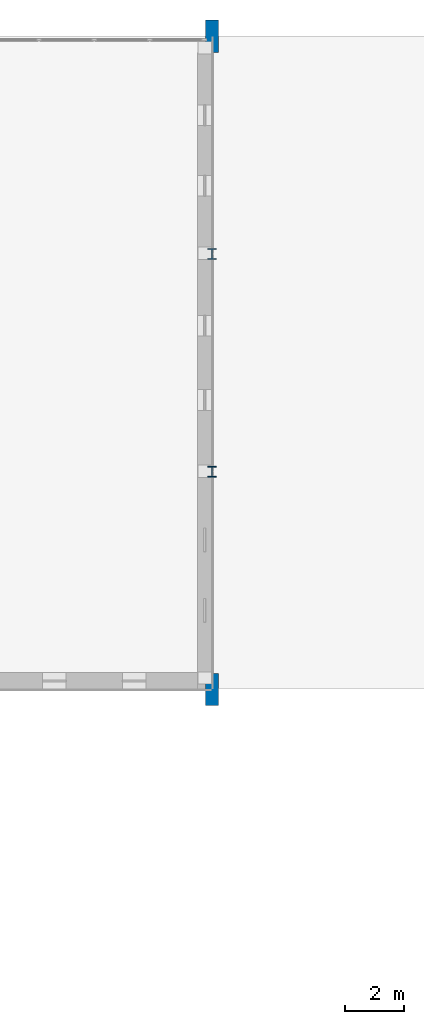
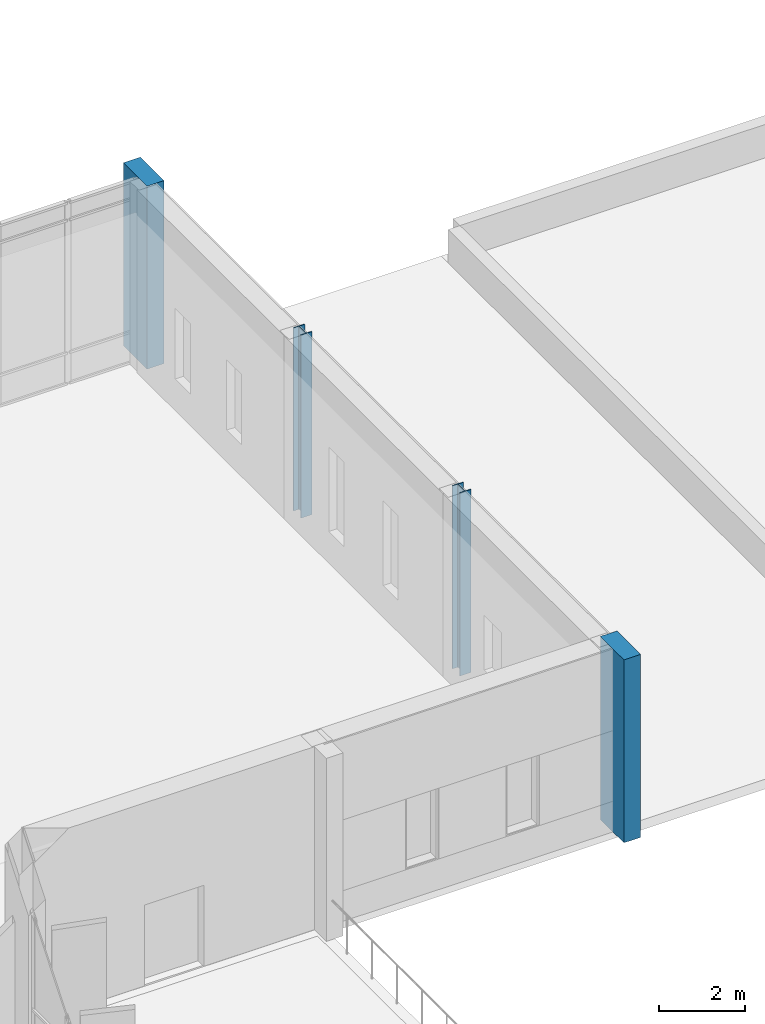
# One storey, part 6 of 48: 4 columns.
"""IFC4 building model written with IfcOpenShell, lengths in metres."""

from ifc_helpers import new_model, si_unit, direction, frame, origin, origin_2d, place, context, subcontext, project, spatial, rectangle, i_section, extrude, material, material_profile, profile_set, type_object, element, save


model = new_model("IFC4")

# Units and contexts
model_context = context("Model", 3, precision=1e-05, world=origin(), true_north=direction((0.0, 1.0)))
body_context = subcontext(model_context, "Body", "Model", "MODEL_VIEW")
ifc_project = project(units=[si_unit("LENGTHUNIT", "METRE"), si_unit("AREAUNIT", "SQUARE_METRE"), si_unit("VOLUMEUNIT", "CUBIC_METRE"), si_unit("PLANEANGLEUNIT", "RADIAN"), si_unit("MASSUNIT", "GRAM", prefix="KILO")], contexts=[model_context])

# Site, building, storey
site_placement = place(None, origin())
site = spatial("IfcSite", under=ifc_project, at=site_placement, CompositionType="ELEMENT")
building_placement = place(site_placement, origin())
building = spatial("IfcBuilding", under=site, at=building_placement, Name="Valkorina Park Police Headquarters", CompositionType="ELEMENT")
storey_placement = place(building_placement, frame((0.0, 0.0, 18.10009765625)))
storey = spatial("IfcBuildingStorey", under=building, at=storey_placement, Name="L05", CompositionType="ELEMENT", Elevation=18.10009765625)

# Columns
ifc_material_1 = material(Name="Concrete C40/50", Category="concrete")
ifc_material_profile_1 = material_profile(ifc_material_1, rectangle(XDim=0.449951171875, YDim=1.10009765625, at=origin_2d()), Name="RC PIER 450x1100")
ifc_profile_set_1 = profile_set([ifc_material_profile_1], Name="Concrete C40/50")
column_type_1 = type_object("IfcColumnType", Name="COL-RC-PIER-EXT", PredefinedType="PILASTER", material=ifc_profile_set_1)
for number, where, z_axis, x_axis, name in (
    (1, (128.800048828125, 59.199951171875, 0.0), (0.0, 0.0, 1.0), (1.0, 0.0, 0.0), "L05 Column 1023"),
    (2, (128.800048828125, 81.39990234375, 0.0), (0.0, 0.0, 1.0), (1.0, 0.0, 0.0), "L05 Column 1026"),
):
    element("IfcColumn", number, at=place(storey_placement, frame(where, z_axis=z_axis, x_axis=x_axis)), inside=storey, type_object=column_type_1, Name=name, PredefinedType="PILASTER", context=body_context, shape_type="SweptSolid", body=[
        extrude(rectangle(XDim=0.449951171875, YDim=1.10009765625, at=origin_2d()), origin(), (0.0, 0.0, 1.0), 5.199951171875),
    ])
ifc_material_2 = material(Name="Steel S355", Category="steel")
ifc_material_profile_2 = material_profile(ifc_material_2, i_section(OverallWidth=0.300048828125, OverallDepth=0.360107421875, WebThickness=0.012451171875, FlangeThickness=0.0224609375, FilletRadius=0.027099609375, at=origin_2d()), Name="HEB 360")
ifc_profile_set_2 = profile_set([ifc_material_profile_2], Name="Steel S355")
column_type_2 = type_object("IfcColumnType", Name="COL-S355-HEB360-EXT", PredefinedType="COLUMN", material=ifc_profile_set_2)
for number, where, z_axis, x_axis, name in (
    (3, (128.800048828125, 66.60009765625, 0.0), (0.0, 0.0, 1.0), (1.0, 0.0, 0.0), "L05 Column 1024"),
    (4, (128.800048828125, 74.0, 0.0), (0.0, 0.0, 1.0), (1.0, 0.0, 0.0), "L05 Column 1025"),
):
    element("IfcColumn", number, at=place(storey_placement, frame(where, z_axis=z_axis, x_axis=x_axis)), inside=storey, type_object=column_type_2, Name=name, PredefinedType="COLUMN", context=body_context, shape_type="SweptSolid", body=[
        extrude(i_section(OverallWidth=0.300048828125, OverallDepth=0.360107421875, WebThickness=0.012451171875, FlangeThickness=0.0224609375, FilletRadius=0.027099609375, at=origin_2d()), origin(), (0.0, 0.0, 1.0), 5.199951171875),
    ])

save(model, "model.ifc")
